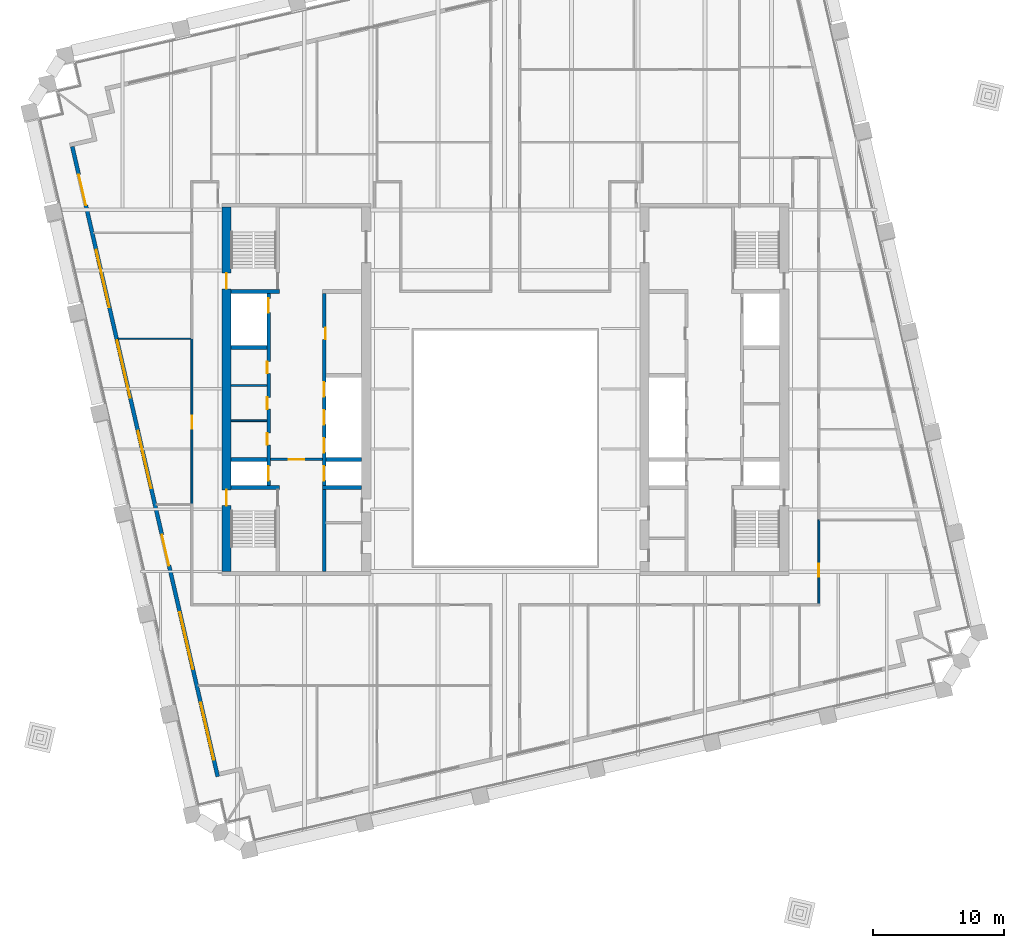
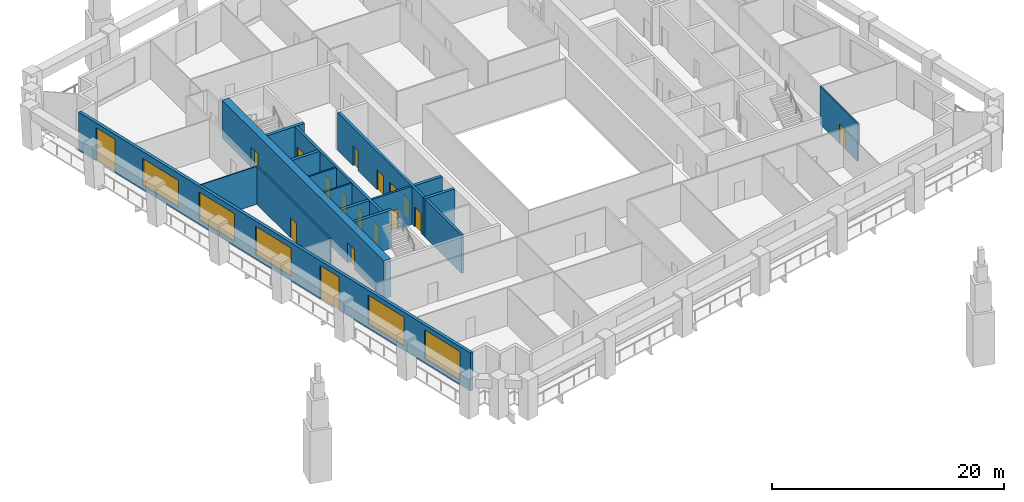
# One storey, part 5 of 10: 17 doors, 16 walls, 5 windows, 22 openings.
"""IFC4 building model written with IfcOpenShell, lengths in metres."""

from ifc_helpers import new_model, si_unit, direction, frame, frame_2d, origin, place, context, subcontext, project, spatial, rectangle, extrude, material, layer, layer_set, type_object, element, fill, save


model = new_model("IFC4")

# Units and contexts
model_context = context("Model", 3, precision=1e-05, world=origin(), true_north=direction((0.0, 1.0)))
body_context = subcontext(model_context, "Body", "Model", "MODEL_VIEW")
ifc_project = project(units=[si_unit("LENGTHUNIT", "METRE"), si_unit("AREAUNIT", "SQUARE_METRE"), si_unit("VOLUMEUNIT", "CUBIC_METRE"), si_unit("PLANEANGLEUNIT", "RADIAN"), si_unit("MASSUNIT", "GRAM", prefix="KILO")], contexts=[model_context])

# Site, building, storey
site_placement = place(None, origin())
site = spatial("IfcSite", under=ifc_project, at=site_placement, CompositionType="ELEMENT")
building_placement = place(site_placement, origin())
building = spatial("IfcBuilding", under=site, at=building_placement, Name="Ogive Exchange Tower", CompositionType="ELEMENT")
storey_placement = place(building_placement, frame((0.0, 0.0, 171.60009765625)))
storey = spatial("IfcBuildingStorey", under=building, at=storey_placement, Name="L37", CompositionType="ELEMENT", Elevation=171.60009765625)

# Walls
ifc_material_1 = material(Name="Gypsum board partition")
ifc_layer_1 = layer(ifc_material_1, 0.14990234375)
ifc_layer_set_1 = layer_set([ifc_layer_1], Name="Core room partition 150 gypsum")
wall_type_1 = type_object("IfcWallType", Name="Core room partition 150 gypsum", PredefinedType="PARTITIONING", material=ifc_layer_set_1)
for number, where, z_axis, x_axis, name in (
    (1, (-21.0, 9.10009765625, 0.0), (0.0, 0.0, 1.0), (1.0, 0.0, 0.0), "W row A bay partition 1-1"),
    (2, (-21.0, 11.800048828125, 0.0), (0.0, 0.0, 1.0), (1.0, 0.0, 0.0), "W row A bay partition 1-2"),
):
    element("IfcWall", number, at=place(storey_placement, frame(where, z_axis=z_axis, x_axis=x_axis)), inside=storey, type_object=wall_type_1, Name=name, PredefinedType="PARTITIONING", context=body_context, shape_type="SweptSolid", body=[
        extrude(rectangle(XDim=2.75, YDim=0.14990234375, at=frame_2d((1.375, 0.0))), origin(), (0.0, 0.0, 1.0), 4.0),
    ])

# Wall, opening, door
ifc_material_2 = material(Name="Fire partition EI 60 150")
ifc_layer_2 = layer(ifc_material_2, 0.14990234375)
ifc_layer_set_2 = layer_set([ifc_layer_2], Name="Fire partition EI 60 150")
wall_type_2 = type_object("IfcWallType", Name="Fire partition EI 60 150", PredefinedType="PARTITIONING", material=ifc_layer_set_2)
wall_1_placement = place(storey_placement, frame((-24.0, 2.68994140625, 0.0), z_axis=(0.0, 0.0, 1.0), x_axis=(0.0, 1.0, 0.0)))
wall_1 = element("IfcWall", 3, at=wall_1_placement, inside=storey, type_object=wall_type_2, Name="L37-PWL-003", PredefinedType="PARTITIONING", context=body_context, shape_type="SweptSolid", body=[
    extrude(rectangle(XDim=12.739990234375, YDim=0.14990234375, at=frame_2d((6.3701171875, 0.0))), origin(), (0.0, 0.0, 1.0), 4.0),
])
opening_1_placement = place(wall_1_placement, frame((5.7900390625, 0.0, 0.0)))
opening_1 = element("IfcOpeningElement", 4, at=opening_1_placement, cuts=wall_1, Name="Opening L37-I10", PredefinedType="OPENING", context=body_context, shape_type="SweptSolid", body=[
    extrude(rectangle(XDim=1.0, YDim=2.10009765625, at=frame_2d((0.5, 1.050048828125))), frame((0.0, 0.0849609375, 0.0), z_axis=(0.0, -1.0, 0.0), x_axis=(1.0, 0.0, 0.0)), (0.0, 0.0, 1.0), 0.169921875),
])
ifc_material_3 = material(Name="Fire door FD 30S 1000 x 2100")
door_type_1 = type_object("IfcDoorType", Name="Fire door FD 30S 1000 x 2100", OperationType="NOTDEFINED", PredefinedType="DOOR", material=ifc_material_3)
door_1_placement = place(opening_1_placement, origin())
door_1 = element("IfcDoor", 5, at=door_1_placement, inside=storey, type_object=door_type_1, Name="L37-IDR-010", ObjectType="DT3", OperationType="SINGLE_SWING_RIGHT", OverallHeight=2.10009765625, OverallWidth=1.0, PredefinedType="DOOR", context=body_context, shape_type="SweptSolid", body=[
    extrude(rectangle(XDim=1.0, YDim=2.10009765625, at=frame_2d((0.5, 1.050048828125))), frame((0.0, 0.02490234375, 0.0), z_axis=(0.0, -1.0, 0.0), x_axis=(1.0, 0.0, 0.0)), (0.0, 0.0, 1.0), 0.050048828125),
])
fill(opening_1, door_1)

wall_2_placement = place(storey_placement, frame((24.0, 1.510009765625, 0.0), z_axis=(0.0, 0.0, 1.0), x_axis=(0.0, -1.0, 0.0)))
wall_2 = element("IfcWall", 6, at=wall_2_placement, inside=storey, type_object=wall_type_2, Name="L37-PWL-075", PredefinedType="PARTITIONING", context=body_context, shape_type="SweptSolid", body=[
    extrude(rectangle(XDim=6.43505859375, YDim=0.14990234375, at=frame_2d((3.217529296875, 0.0))), origin(), (0.0, 0.0, 1.0), 4.0),
])
opening_2_placement = place(wall_2_placement, frame((3.360107421875, 0.0, 0.0)))
opening_2 = element("IfcOpeningElement", 7, at=opening_2_placement, cuts=wall_2, Name="Opening L37-I19", PredefinedType="OPENING", context=body_context, shape_type="SweptSolid", body=[
    extrude(rectangle(XDim=1.0, YDim=2.10009765625, at=frame_2d((0.5, 1.050048828125))), frame((0.0, 0.0849609375, 0.0), z_axis=(0.0, -1.0, 0.0), x_axis=(1.0, 0.0, 0.0)), (0.0, 0.0, 1.0), 0.169921875),
])
door_2_placement = place(opening_2_placement, origin())
door_2 = element("IfcDoor", 8, at=door_2_placement, inside=storey, type_object=door_type_1, Name="L37-IDR-019", ObjectType="DT3", OperationType="SINGLE_SWING_RIGHT", OverallHeight=2.10009765625, OverallWidth=1.0, PredefinedType="DOOR", context=body_context, shape_type="SweptSolid", body=[
    extrude(rectangle(XDim=1.0, YDim=2.10009765625, at=frame_2d((0.5, 1.050048828125))), frame((0.0, 0.02490234375, 0.0), z_axis=(0.0, -1.0, 0.0), x_axis=(1.0, 0.0, 0.0)), (0.0, 0.0, 1.0), 0.050048828125),
])
fill(opening_2, door_2)

# Wall, openings, doors, windows
ifc_material_4 = material(Name="Precast concrete C40/50", Category="concrete")
ifc_layer_3 = layer(ifc_material_4, 0.300048828125)
ifc_layer_set_3 = layer_set([ifc_layer_3], Name="Limestone-faced wall 300")
wall_type_3 = type_object("IfcWallType", Name="Limestone-faced wall 300", PredefinedType="STANDARD", material=ifc_layer_set_3)
wall_3_placement = place(storey_placement, frame((-33.1572265625, 30.092041015625, 0.0), z_axis=(0.0, 0.0, 1.0), x_axis=(0.224950279389, -0.974370243697, 0.0)))
wall_3 = element("IfcWall", 9, at=wall_3_placement, inside=storey, type_object=wall_type_3, Name="External wall W4", PredefinedType="STANDARD", context=body_context, shape_type="SweptSolid", body=[
    extrude(rectangle(XDim=49.499755859375, YDim=0.300048828125, at=frame_2d((24.75, 0.0))), origin(), (0.0, 0.0, 1.0), 4.0),
])
opening_3_placement = place(wall_3_placement, frame((2.20703125, 0.0, 0.0)))
opening_3 = element("IfcOpeningElement", 10, at=opening_3_placement, cuts=wall_3, Name="Opening D1", PredefinedType="OPENING", context=body_context, shape_type="SweptSolid", body=[
    extrude(rectangle(XDim=2.39990234375, YDim=3.5, at=frame_2d((1.199951171875, 1.75))), frame((0.0, 0.159912109375, 0.0), z_axis=(0.0, -1.0, 0.0), x_axis=(1.0, 0.0, 0.0)), (0.0, 0.0, 1.0), 0.320068359375),
])
opening_4_placement = place(wall_3_placement, frame((8.121337890625, 0.0, 0.449951171875)))
opening_4 = element("IfcOpeningElement", 11, at=opening_4_placement, cuts=wall_3, Name="Opening W1E", PredefinedType="OPENING", context=body_context, shape_type="SweptSolid", body=[
    extrude(rectangle(XDim=4.5, YDim=2.824951171875, at=frame_2d((2.25, 1.41259765625))), frame((0.0, 0.159912109375, 0.0), z_axis=(0.0, -1.0, 0.0), x_axis=(1.0, 0.0, 0.0)), (0.0, 0.0, 1.0), 0.320068359375),
])
opening_5_placement = place(wall_3_placement, frame((15.235595703125, 0.0, 0.449951171875)))
opening_5 = element("IfcOpeningElement", 12, at=opening_5_placement, cuts=wall_3, Name="Opening W1B", PredefinedType="OPENING", context=body_context, shape_type="SweptSolid", body=[
    extrude(rectangle(XDim=4.5, YDim=2.949951171875, at=frame_2d((2.25, 1.47509765625))), frame((0.0, 0.159912109375, 0.0), z_axis=(0.0, -1.0, 0.0), x_axis=(1.0, 0.0, 0.0)), (0.0, 0.0, 1.0), 0.320068359375),
])
opening_6_placement = place(wall_3_placement, frame((22.35009765625, 0.0, 0.449951171875)))
opening_6 = element("IfcOpeningElement", 13, at=opening_6_placement, cuts=wall_3, Name="Opening W1A", PredefinedType="OPENING", context=body_context, shape_type="SweptSolid", body=[
    extrude(rectangle(XDim=4.5, YDim=3.0, at=frame_2d((2.25, 1.5))), frame((0.0, 0.159912109375, 0.0), z_axis=(0.0, -1.0, 0.0), x_axis=(1.0, 0.0, 0.0)), (0.0, 0.0, 1.0), 0.320068359375),
])
opening_7_placement = place(wall_3_placement, frame((30.51416015625, 0.0, 0.0)))
opening_7 = element("IfcOpeningElement", 14, at=opening_7_placement, cuts=wall_3, Name="Opening D1", PredefinedType="OPENING", context=body_context, shape_type="SweptSolid", body=[
    extrude(rectangle(XDim=2.39990234375, YDim=3.5, at=frame_2d((1.199951171875, 1.75))), frame((0.0, 0.159912109375, 0.0), z_axis=(0.0, -1.0, 0.0), x_axis=(1.0, 0.0, 0.0)), (0.0, 0.0, 1.0), 0.320068359375),
])
opening_8_placement = place(wall_3_placement, frame((36.57861328125, 0.0, 0.449951171875)))
opening_8 = element("IfcOpeningElement", 15, at=opening_8_placement, cuts=wall_3, Name="Opening W1", PredefinedType="OPENING", context=body_context, shape_type="SweptSolid", body=[
    extrude(rectangle(XDim=4.5, YDim=3.050048828125, at=frame_2d((2.25, 1.52490234375))), frame((0.0, 0.159912109375, 0.0), z_axis=(0.0, -1.0, 0.0), x_axis=(1.0, 0.0, 0.0)), (0.0, 0.0, 1.0), 0.320068359375),
])
opening_9_placement = place(wall_3_placement, frame((43.69287109375, 0.0, 0.449951171875)))
opening_9 = element("IfcOpeningElement", 16, at=opening_9_placement, cuts=wall_3, Name="Opening W1", PredefinedType="OPENING", context=body_context, shape_type="SweptSolid", body=[
    extrude(rectangle(XDim=4.5, YDim=3.050048828125, at=frame_2d((2.25, 1.52490234375))), frame((0.0, 0.159912109375, 0.0), z_axis=(0.0, -1.0, 0.0), x_axis=(1.0, 0.0, 0.0)), (0.0, 0.0, 1.0), 0.320068359375),
])
ifc_material_5 = material(Name="Clear glass in bronze frame", Category="glass")
door_type_2 = type_object("IfcDoorType", Name="Sliding loggia door 2400 x 3500", OperationType="DOUBLE_DOOR_SLIDING", PredefinedType="DOOR", material=ifc_material_5)
door_3_placement = place(opening_3_placement, origin())
door_3 = element("IfcDoor", 17, at=door_3_placement, inside=storey, type_object=door_type_2, Name="Loggia door W00", OperationType="DOUBLE_DOOR_SLIDING", OverallHeight=3.5, OverallWidth=2.39990234375, PredefinedType="DOOR", context=body_context, shape_type="SweptSolid", body=[
    extrude(rectangle(XDim=2.39990234375, YDim=3.5, at=frame_2d((1.199951171875, 1.75))), frame((0.0, 0.02490234375, 0.0), z_axis=(0.0, -1.0, 0.0), x_axis=(1.0, 0.0, 0.0)), (0.0, 0.0, 1.0), 0.050048828125),
])
fill(opening_3, door_3)
door_4_placement = place(opening_7_placement, origin())
door_4 = element("IfcDoor", 18, at=door_4_placement, inside=storey, type_object=door_type_2, Name="Loggia door W04", OperationType="DOUBLE_DOOR_SLIDING", OverallHeight=3.5, OverallWidth=2.39990234375, PredefinedType="DOOR", context=body_context, shape_type="SweptSolid", body=[
    extrude(rectangle(XDim=2.39990234375, YDim=3.5, at=frame_2d((1.199951171875, 1.75))), frame((0.0, 0.02490234375, 0.0), z_axis=(0.0, -1.0, 0.0), x_axis=(1.0, 0.0, 0.0)), (0.0, 0.0, 1.0), 0.050048828125),
])
fill(opening_7, door_4)
window_type_1 = type_object("IfcWindowType", Name="Twin lancet window 4500 x 2825", PartitioningType="DOUBLE_PANEL_VERTICAL", PredefinedType="WINDOW", material=ifc_material_5)
window_1_placement = place(opening_4_placement, origin())
window_1 = element("IfcWindow", 19, at=window_1_placement, inside=storey, type_object=window_type_1, Name="Window W01", OverallHeight=2.824951171875, OverallWidth=4.5, PartitioningType="DOUBLE_PANEL_VERTICAL", PredefinedType="WINDOW", context=body_context, shape_type="SweptSolid", body=[
    extrude(rectangle(XDim=4.5, YDim=2.824951171875, at=frame_2d((2.25, 1.41259765625))), frame((0.0, 0.030029296875, 0.0), z_axis=(0.0, -1.0, 0.0), x_axis=(1.0, 0.0, 0.0)), (0.0, 0.0, 1.0), 0.06005859375),
])
fill(opening_4, window_1)
window_type_2 = type_object("IfcWindowType", Name="Twin lancet window 4500 x 2950", PartitioningType="DOUBLE_PANEL_VERTICAL", PredefinedType="WINDOW", material=ifc_material_5)
window_2_placement = place(opening_5_placement, origin())
window_2 = element("IfcWindow", 20, at=window_2_placement, inside=storey, type_object=window_type_2, Name="Window W02", OverallHeight=2.949951171875, OverallWidth=4.5, PartitioningType="DOUBLE_PANEL_VERTICAL", PredefinedType="WINDOW", context=body_context, shape_type="SweptSolid", body=[
    extrude(rectangle(XDim=4.5, YDim=2.949951171875, at=frame_2d((2.25, 1.47509765625))), frame((0.0, 0.030029296875, 0.0), z_axis=(0.0, -1.0, 0.0), x_axis=(1.0, 0.0, 0.0)), (0.0, 0.0, 1.0), 0.06005859375),
])
fill(opening_5, window_2)
window_type_3 = type_object("IfcWindowType", Name="Twin lancet window 4500 x 3000", PartitioningType="DOUBLE_PANEL_VERTICAL", PredefinedType="WINDOW", material=ifc_material_5)
window_3_placement = place(opening_6_placement, origin())
window_3 = element("IfcWindow", 21, at=window_3_placement, inside=storey, type_object=window_type_3, Name="Window W03", OverallHeight=3.0, OverallWidth=4.5, PartitioningType="DOUBLE_PANEL_VERTICAL", PredefinedType="WINDOW", context=body_context, shape_type="SweptSolid", body=[
    extrude(rectangle(XDim=4.5, YDim=3.0, at=frame_2d((2.25, 1.5))), frame((0.0, 0.030029296875, 0.0), z_axis=(0.0, -1.0, 0.0), x_axis=(1.0, 0.0, 0.0)), (0.0, 0.0, 1.0), 0.06005859375),
])
fill(opening_6, window_3)
window_type_4 = type_object("IfcWindowType", Name="Twin lancet window 4500 x 3050", PartitioningType="DOUBLE_PANEL_VERTICAL", PredefinedType="WINDOW", material=ifc_material_5)
window_4_placement = place(opening_8_placement, origin())
window_4 = element("IfcWindow", 22, at=window_4_placement, inside=storey, type_object=window_type_4, Name="Window W05", OverallHeight=3.050048828125, OverallWidth=4.5, PartitioningType="DOUBLE_PANEL_VERTICAL", PredefinedType="WINDOW", context=body_context, shape_type="SweptSolid", body=[
    extrude(rectangle(XDim=4.5, YDim=3.050048828125, at=frame_2d((2.25, 1.52490234375))), frame((0.0, 0.030029296875, 0.0), z_axis=(0.0, -1.0, 0.0), x_axis=(1.0, 0.0, 0.0)), (0.0, 0.0, 1.0), 0.06005859375),
])
fill(opening_8, window_4)
window_5_placement = place(opening_9_placement, origin())
window_5 = element("IfcWindow", 23, at=window_5_placement, inside=storey, type_object=window_type_4, Name="Window W06", OverallHeight=3.050048828125, OverallWidth=4.5, PartitioningType="DOUBLE_PANEL_VERTICAL", PredefinedType="WINDOW", context=body_context, shape_type="SweptSolid", body=[
    extrude(rectangle(XDim=4.5, YDim=3.050048828125, at=frame_2d((2.25, 1.52490234375))), frame((0.0, 0.030029296875, 0.0), z_axis=(0.0, -1.0, 0.0), x_axis=(1.0, 0.0, 0.0)), (0.0, 0.0, 1.0), 0.06005859375),
])
fill(opening_9, window_5)

# Wall
ifc_material_6 = material(Name="Partition 100 gypsum")
ifc_layer_4 = layer(ifc_material_6, 0.10009765625)
ifc_layer_set_4 = layer_set([ifc_layer_4], Name="Partition 100 gypsum")
wall_type_4 = type_object("IfcWallType", Name="Partition 100 gypsum", PredefinedType="PARTITIONING", material=ifc_layer_set_4)
wall_4_placement = place(storey_placement, frame((-24.074951171875, 15.3798828125, 0.0), z_axis=(0.0, 0.0, 1.0), x_axis=(-1.0, 0.0, 0.0)))
element("IfcWall", 24, at=wall_4_placement, inside=storey, type_object=wall_type_4, Name="L37-PWL-004", PredefinedType="PARTITIONING", context=body_context, shape_type="SweptSolid", body=[
    extrude(rectangle(XDim=5.614013671875, YDim=0.10009765625, at=frame_2d((2.80712890625, 0.0))), origin(), (0.0, 0.0, 1.0), 4.0),
])

# Wall, opening, door
ifc_material_7 = material(Name="Concrete C70/85", Category="concrete")
ifc_layer_5 = layer(ifc_material_7, 0.199951171875)
ifc_layer_set_5 = layer_set([ifc_layer_5], Name="RC core wall 200 C70/85")
wall_type_5 = type_object("IfcWallType", Name="RC core wall 200 C70/85", PredefinedType="SHEAR", material=ifc_layer_set_5)
wall_5_placement = place(storey_placement, frame((-18.0, 6.142822265625, 0.0), z_axis=(0.0, 0.0, 1.0), x_axis=(1.0, 0.0, 0.0)))
wall_5 = element("IfcWall", 25, at=wall_5_placement, inside=storey, type_object=wall_type_5, Name="W firefighting lobby wall", PredefinedType="SHEAR", context=body_context, shape_type="SweptSolid", body=[
    extrude(rectangle(XDim=4.0, YDim=0.199951171875, at=frame_2d((2.0, 0.0))), origin(), (0.0, 0.0, 1.0), 4.0),
])
opening_10_placement = place(wall_5_placement, frame((1.39990234375, 0.0, 0.0)))
opening_10 = element("IfcOpeningElement", 26, at=opening_10_placement, cuts=wall_5, Name="Opening L37-C11", PredefinedType="OPENING", context=body_context, shape_type="SweptSolid", body=[
    extrude(rectangle(XDim=1.199951171875, YDim=2.10009765625, at=frame_2d((0.60009765625, 1.050048828125))), frame((0.0, 0.10986328125, 0.0), z_axis=(0.0, -1.0, 0.0), x_axis=(1.0, 0.0, 0.0)), (0.0, 0.0, 1.0), 0.219970703125),
])
ifc_material_8 = material(Name="Steel fire door", Category="steel")
door_type_3 = type_object("IfcDoorType", Name="Firefighting lobby door FD60 1200 x 2100", OperationType="NOTDEFINED", PredefinedType="DOOR", material=ifc_material_8)
door_5_placement = place(opening_10_placement, frame((1.199951171875, 0.0, 0.0), z_axis=(0.0, 0.0, 1.0), x_axis=(-1.0, 0.0, 0.0)))
door_5 = element("IfcDoor", 27, at=door_5_placement, inside=storey, type_object=door_type_3, Name="Firefighting lobby door", ObjectType="CD3", OperationType="SINGLE_SWING_LEFT", OverallHeight=2.10009765625, OverallWidth=1.199951171875, PredefinedType="DOOR", context=body_context, shape_type="SweptSolid", body=[
    extrude(rectangle(XDim=1.199951171875, YDim=2.10009765625, at=frame_2d((0.60009765625, 1.050048828125))), frame((0.0, 0.02490234375, 0.0), z_axis=(0.0, -1.0, 0.0), x_axis=(1.0, 0.0, 0.0)), (0.0, 0.0, 1.0), 0.050048828125),
])
fill(opening_10, door_5)

# Wall, openings, doors
ifc_layer_6 = layer(ifc_material_7, 0.25)
ifc_layer_set_6 = layer_set([ifc_layer_6], Name="RC core wall 250 C70/85")
wall_type_6 = type_object("IfcWallType", Name="RC core wall 250 C70/85", PredefinedType="SHEAR", material=ifc_layer_set_6)
wall_6_placement = place(storey_placement, frame((-18.125, 4.14990234375, 0.0), z_axis=(0.0, 0.0, 1.0), x_axis=(0.0, 1.0, 0.0)))
wall_6 = element("IfcWall", 28, at=wall_6_placement, inside=storey, type_object=wall_type_6, Name="W row A front wall", PredefinedType="SHEAR", context=body_context, shape_type="SweptSolid", body=[
    extrude(rectangle(XDim=14.7001953125, YDim=0.25, at=frame_2d((7.35009765625, 0.0))), origin(), (0.0, 0.0, 1.0), 4.0),
])
opening_11_placement = place(wall_6_placement, frame((3.096435546875, 0.0, 0.0)))
opening_11 = element("IfcOpeningElement", 29, at=opening_11_placement, cuts=wall_6, Name="Opening L37-C01", PredefinedType="OPENING", context=body_context, shape_type="SweptSolid", body=[
    extrude(rectangle(XDim=0.89990234375, YDim=2.10009765625, at=frame_2d((0.449951171875, 1.050048828125))), frame((0.0, 0.135009765625, 0.0), z_axis=(0.0, -1.0, 0.0), x_axis=(1.0, 0.0, 0.0)), (0.0, 0.0, 1.0), 0.27001953125),
])
opening_12_placement = place(wall_6_placement, frame((5.85009765625, 0.0, 0.0)))
opening_12 = element("IfcOpeningElement", 30, at=opening_12_placement, cuts=wall_6, Name="Opening L37-C02", PredefinedType="OPENING", context=body_context, shape_type="SweptSolid", body=[
    extrude(rectangle(XDim=0.89990234375, YDim=2.10009765625, at=frame_2d((0.449951171875, 1.050048828125))), frame((0.0, 0.135009765625, 0.0), z_axis=(0.0, -1.0, 0.0), x_axis=(1.0, 0.0, 0.0)), (0.0, 0.0, 1.0), 0.27001953125),
])
opening_13_placement = place(wall_6_placement, frame((8.58203125, 0.0, 0.0)))
opening_13 = element("IfcOpeningElement", 31, at=opening_13_placement, cuts=wall_6, Name="Opening L37-C03", PredefinedType="OPENING", context=body_context, shape_type="SweptSolid", body=[
    extrude(rectangle(XDim=0.89990234375, YDim=2.10009765625, at=frame_2d((0.449951171875, 1.050048828125))), frame((0.0, 0.135009765625, 0.0), z_axis=(0.0, -1.0, 0.0), x_axis=(1.0, 0.0, 0.0)), (0.0, 0.0, 1.0), 0.27001953125),
])
opening_14_placement = place(wall_6_placement, frame((0.371337890625, 0.0, 0.0)))
opening_14 = element("IfcOpeningElement", 32, at=opening_14_placement, cuts=wall_6, Name="Opening L37-C04", PredefinedType="OPENING", context=body_context, shape_type="SweptSolid", body=[
    extrude(rectangle(XDim=1.10009765625, YDim=2.10009765625, at=frame_2d((0.550048828125, 1.050048828125))), frame((0.0, 0.135009765625, 0.0), z_axis=(0.0, -1.0, 0.0), x_axis=(1.0, 0.0, 0.0)), (0.0, 0.0, 1.0), 0.27001953125),
])
opening_15_placement = place(wall_6_placement, frame((13.228515625, 0.0, 0.0)))
opening_15 = element("IfcOpeningElement", 33, at=opening_15_placement, cuts=wall_6, Name="Opening L37-C05", PredefinedType="OPENING", context=body_context, shape_type="SweptSolid", body=[
    extrude(rectangle(XDim=1.10009765625, YDim=2.10009765625, at=frame_2d((0.550048828125, 1.050048828125))), frame((0.0, 0.135009765625, 0.0), z_axis=(0.0, -1.0, 0.0), x_axis=(1.0, 0.0, 0.0)), (0.0, 0.0, 1.0), 0.27001953125),
])
ifc_material_9 = material(Name="Stainless steel", Category="steel")
door_type_4 = type_object("IfcDoorType", Name="Lift landing door FD90 1100 x 2100", OperationType="SLIDING_TO_LEFT", PredefinedType="DOOR", material=ifc_material_9)
door_6_placement = place(opening_14_placement, origin())
door_6 = element("IfcDoor", 34, at=door_6_placement, inside=storey, type_object=door_type_4, Name="Lift landing door FF1", ObjectType="LD", OperationType="SLIDING_TO_LEFT", OverallHeight=2.10009765625, OverallWidth=1.10009765625, PredefinedType="DOOR", context=body_context, shape_type="SweptSolid", body=[
    extrude(rectangle(XDim=1.10009765625, YDim=2.10009765625, at=frame_2d((0.550048828125, 1.050048828125))), frame((0.0, 0.02490234375, 0.0), z_axis=(0.0, -1.0, 0.0), x_axis=(1.0, 0.0, 0.0)), (0.0, 0.0, 1.0), 0.050048828125),
])
fill(opening_14, door_6)
door_7_placement = place(opening_15_placement, origin())
door_7 = element("IfcDoor", 35, at=door_7_placement, inside=storey, type_object=door_type_4, Name="Lift landing door W-SH2", ObjectType="LD", OperationType="SLIDING_TO_LEFT", OverallHeight=2.10009765625, OverallWidth=1.10009765625, PredefinedType="DOOR", context=body_context, shape_type="SweptSolid", body=[
    extrude(rectangle(XDim=1.10009765625, YDim=2.10009765625, at=frame_2d((0.550048828125, 1.050048828125))), frame((0.0, 0.02490234375, 0.0), z_axis=(0.0, -1.0, 0.0), x_axis=(1.0, 0.0, 0.0)), (0.0, 0.0, 1.0), 0.050048828125),
])
fill(opening_15, door_7)
door_type_5 = type_object("IfcDoorType", Name="Riser door FD60 900 x 2100", OperationType="NOTDEFINED", PredefinedType="DOOR", material=ifc_material_8)
door_8_placement = place(opening_11_placement, origin())
door_8 = element("IfcDoor", 36, at=door_8_placement, inside=storey, type_object=door_type_5, Name="Riser door", ObjectType="CD2", OperationType="SINGLE_SWING_LEFT", OverallHeight=2.10009765625, OverallWidth=0.89990234375, PredefinedType="DOOR", context=body_context, shape_type="SweptSolid", body=[
    extrude(rectangle(XDim=0.89990234375, YDim=2.10009765625, at=frame_2d((0.449951171875, 1.050048828125))), frame((0.0, 0.125, 0.0), z_axis=(0.0, -1.0, 0.0), x_axis=(1.0, 0.0, 0.0)), (0.0, 0.0, 1.0), 0.050048828125),
])
fill(opening_11, door_8)
door_9_placement = place(opening_12_placement, origin())
door_9 = element("IfcDoor", 37, at=door_9_placement, inside=storey, type_object=door_type_5, Name="Riser door", ObjectType="CD2", OperationType="SINGLE_SWING_LEFT", OverallHeight=2.10009765625, OverallWidth=0.89990234375, PredefinedType="DOOR", context=body_context, shape_type="SweptSolid", body=[
    extrude(rectangle(XDim=0.89990234375, YDim=2.10009765625, at=frame_2d((0.449951171875, 1.050048828125))), frame((0.0, 0.125, 0.0), z_axis=(0.0, -1.0, 0.0), x_axis=(1.0, 0.0, 0.0)), (0.0, 0.0, 1.0), 0.050048828125),
])
fill(opening_12, door_9)
door_10_placement = place(opening_13_placement, origin())
door_10 = element("IfcDoor", 38, at=door_10_placement, inside=storey, type_object=door_type_5, Name="Riser door", ObjectType="CD2", OperationType="SINGLE_SWING_LEFT", OverallHeight=2.10009765625, OverallWidth=0.89990234375, PredefinedType="DOOR", context=body_context, shape_type="SweptSolid", body=[
    extrude(rectangle(XDim=0.89990234375, YDim=2.10009765625, at=frame_2d((0.449951171875, 1.050048828125))), frame((0.0, 0.125, 0.0), z_axis=(0.0, -1.0, 0.0), x_axis=(1.0, 0.0, 0.0)), (0.0, 0.0, 1.0), 0.050048828125),
])
fill(opening_13, door_10)

wall_7_placement = place(storey_placement, frame((-13.875, -2.449951171875, 0.0), z_axis=(0.0, 0.0, 1.0), x_axis=(0.0, 1.0, 0.0)))
wall_7 = element("IfcWall", 39, at=wall_7_placement, inside=storey, type_object=wall_type_6, Name="W row B front wall", PredefinedType="SHEAR", context=body_context, shape_type="SweptSolid", body=[
    extrude(rectangle(XDim=21.300048828125, YDim=0.25, at=frame_2d((10.64990234375, 0.0))), origin(), (0.0, 0.0, 1.0), 4.0),
])
opening_16_placement = place(wall_7_placement, frame((17.78564453125, 0.0, 0.0)))
opening_16 = element("IfcOpeningElement", 40, at=opening_16_placement, cuts=wall_7, Name="Opening L37-C06", PredefinedType="OPENING", context=body_context, shape_type="SweptSolid", body=[
    extrude(rectangle(XDim=0.89990234375, YDim=2.10009765625, at=frame_2d((0.449951171875, 1.050048828125))), frame((0.0, 0.135009765625, 0.0), z_axis=(0.0, -1.0, 0.0), x_axis=(1.0, 0.0, 0.0)), (0.0, 0.0, 1.0), 0.27001953125),
])
opening_17_placement = place(wall_7_placement, frame((6.971435546875, 0.0, 0.0)))
opening_17 = element("IfcOpeningElement", 41, at=opening_17_placement, cuts=wall_7, Name="Opening L37-C07", PredefinedType="OPENING", context=body_context, shape_type="SweptSolid", body=[
    extrude(rectangle(XDim=1.10009765625, YDim=2.10009765625, at=frame_2d((0.550048828125, 1.050048828125))), frame((0.0, 0.135009765625, 0.0), z_axis=(0.0, -1.0, 0.0), x_axis=(1.0, 0.0, 0.0)), (0.0, 0.0, 1.0), 0.27001953125),
])
opening_18_placement = place(wall_7_placement, frame((9.1142578125, 0.0, 0.0)))
opening_18 = element("IfcOpeningElement", 42, at=opening_18_placement, cuts=wall_7, Name="Opening L37-C08", PredefinedType="OPENING", context=body_context, shape_type="SweptSolid", body=[
    extrude(rectangle(XDim=1.10009765625, YDim=2.10009765625, at=frame_2d((0.550048828125, 1.050048828125))), frame((0.0, 0.135009765625, 0.0), z_axis=(0.0, -1.0, 0.0), x_axis=(1.0, 0.0, 0.0)), (0.0, 0.0, 1.0), 0.27001953125),
])
opening_19_placement = place(wall_7_placement, frame((11.257080078125, 0.0, 0.0)))
opening_19 = element("IfcOpeningElement", 43, at=opening_19_placement, cuts=wall_7, Name="Opening L37-C09", PredefinedType="OPENING", context=body_context, shape_type="SweptSolid", body=[
    extrude(rectangle(XDim=1.10009765625, YDim=2.10009765625, at=frame_2d((0.550048828125, 1.050048828125))), frame((0.0, 0.135009765625, 0.0), z_axis=(0.0, -1.0, 0.0), x_axis=(1.0, 0.0, 0.0)), (0.0, 0.0, 1.0), 0.27001953125),
])
opening_20_placement = place(wall_7_placement, frame((13.39990234375, 0.0, 0.0)))
opening_20 = element("IfcOpeningElement", 44, at=opening_20_placement, cuts=wall_7, Name="Opening L37-C10", PredefinedType="OPENING", context=body_context, shape_type="SweptSolid", body=[
    extrude(rectangle(XDim=1.10009765625, YDim=2.10009765625, at=frame_2d((0.550048828125, 1.050048828125))), frame((0.0, 0.135009765625, 0.0), z_axis=(0.0, -1.0, 0.0), x_axis=(1.0, 0.0, 0.0)), (0.0, 0.0, 1.0), 0.27001953125),
])
door_11_placement = place(opening_17_placement, origin())
door_11 = element("IfcDoor", 45, at=door_11_placement, inside=storey, type_object=door_type_4, Name="Lift landing door SV1", ObjectType="LD", OperationType="SLIDING_TO_LEFT", OverallHeight=2.10009765625, OverallWidth=1.10009765625, PredefinedType="DOOR", context=body_context, shape_type="SweptSolid", body=[
    extrude(rectangle(XDim=1.10009765625, YDim=2.10009765625, at=frame_2d((0.550048828125, 1.050048828125))), frame((0.0, 0.02490234375, 0.0), z_axis=(0.0, -1.0, 0.0), x_axis=(1.0, 0.0, 0.0)), (0.0, 0.0, 1.0), 0.050048828125),
])
fill(opening_17, door_11)
door_12_placement = place(opening_18_placement, origin())
door_12 = element("IfcDoor", 46, at=door_12_placement, inside=storey, type_object=door_type_4, Name="Lift landing door W-M1", ObjectType="LD", OperationType="SLIDING_TO_LEFT", OverallHeight=2.10009765625, OverallWidth=1.10009765625, PredefinedType="DOOR", context=body_context, shape_type="SweptSolid", body=[
    extrude(rectangle(XDim=1.10009765625, YDim=2.10009765625, at=frame_2d((0.550048828125, 1.050048828125))), frame((0.0, 0.02490234375, 0.0), z_axis=(0.0, -1.0, 0.0), x_axis=(1.0, 0.0, 0.0)), (0.0, 0.0, 1.0), 0.050048828125),
])
fill(opening_18, door_12)
door_13_placement = place(opening_19_placement, origin())
door_13 = element("IfcDoor", 47, at=door_13_placement, inside=storey, type_object=door_type_4, Name="Lift landing door W-M2", ObjectType="LD", OperationType="SLIDING_TO_LEFT", OverallHeight=2.10009765625, OverallWidth=1.10009765625, PredefinedType="DOOR", context=body_context, shape_type="SweptSolid", body=[
    extrude(rectangle(XDim=1.10009765625, YDim=2.10009765625, at=frame_2d((0.550048828125, 1.050048828125))), frame((0.0, 0.02490234375, 0.0), z_axis=(0.0, -1.0, 0.0), x_axis=(1.0, 0.0, 0.0)), (0.0, 0.0, 1.0), 0.050048828125),
])
fill(opening_19, door_13)
door_14_placement = place(opening_20_placement, origin())
door_14 = element("IfcDoor", 48, at=door_14_placement, inside=storey, type_object=door_type_4, Name="Lift landing door W-M3", ObjectType="LD", OperationType="SLIDING_TO_LEFT", OverallHeight=2.10009765625, OverallWidth=1.10009765625, PredefinedType="DOOR", context=body_context, shape_type="SweptSolid", body=[
    extrude(rectangle(XDim=1.10009765625, YDim=2.10009765625, at=frame_2d((0.550048828125, 1.050048828125))), frame((0.0, 0.02490234375, 0.0), z_axis=(0.0, -1.0, 0.0), x_axis=(1.0, 0.0, 0.0)), (0.0, 0.0, 1.0), 0.050048828125),
])
fill(opening_20, door_14)
door_15_placement = place(opening_16_placement, frame((0.89990234375, -0.2001953125, 0.0), z_axis=(0.0, 0.0, 1.0), x_axis=(-1.0, 0.0, 0.0)))
door_15 = element("IfcDoor", 49, at=door_15_placement, inside=storey, type_object=door_type_5, Name="Riser door", ObjectType="CD2", OperationType="SINGLE_SWING_LEFT", OverallHeight=2.10009765625, OverallWidth=0.89990234375, PredefinedType="DOOR", context=body_context, shape_type="SweptSolid", body=[
    extrude(rectangle(XDim=0.89990234375, YDim=2.10009765625, at=frame_2d((0.449951171875, 1.050048828125))), frame((0.0, -0.0751953125, 0.0), z_axis=(0.0, -1.0, 0.0), x_axis=(1.0, 0.0, 0.0)), (0.0, 0.0, 1.0), 0.050048828125),
])
fill(opening_16, door_15)

# Walls
ifc_layer_7 = layer(ifc_material_7, 0.300048828125)
ifc_layer_set_7 = layer_set([ifc_layer_7], Name="RC core wall 300 C70/85")
wall_type_7 = type_object("IfcWallType", Name="RC core wall 300 C70/85", PredefinedType="SHEAR", material=ifc_layer_set_7)
for number, where, z_axis, x_axis, name in (
    (50, (-21.0, 4.0, 0.0), (0.0, 0.0, 1.0), (1.0, 0.0, 0.0), "W stair S north wall"),
    (51, (-21.0, 19.0, 0.0), (0.0, 0.0, 1.0), (1.0, 0.0, 0.0), "W stair N south wall"),
):
    element("IfcWall", number, at=place(storey_placement, frame(where, z_axis=z_axis, x_axis=x_axis)), inside=storey, type_object=wall_type_7, Name=name, PredefinedType="SHEAR", context=body_context, shape_type="SweptSolid", body=[
        extrude(rectangle(XDim=3.699951171875, YDim=0.300048828125, at=frame_2d((1.85009765625, 0.0))), origin(), (0.0, 0.0, 1.0), 4.0),
    ])
for number, where, z_axis, x_axis, name in (
    (52, (-21.0, 6.142822265625, 0.0), (0.0, 0.0, 1.0), (1.0, 0.0, 0.0), "W row A divider 1"),
    (53, (-21.0, 14.71435546875, 0.0), (0.0, 0.0, 1.0), (1.0, 0.0, 0.0), "W row A divider 5"),
):
    element("IfcWall", number, at=place(storey_placement, frame(where, z_axis=z_axis, x_axis=x_axis)), inside=storey, type_object=wall_type_7, Name=name, PredefinedType="SHEAR", context=body_context, shape_type="SweptSolid", body=[
        extrude(rectangle(XDim=2.75, YDim=0.300048828125, at=frame_2d((1.375, 0.0))), origin(), (0.0, 0.0, 1.0), 4.0),
    ])
wall_8_placement = place(storey_placement, frame((-14.0, 4.0, 0.0), z_axis=(0.0, 0.0, 1.0), x_axis=(1.0, 0.0, 0.0)))
element("IfcWall", 54, at=wall_8_placement, inside=storey, type_object=wall_type_7, Name="W row B divider 0", PredefinedType="SHEAR", context=body_context, shape_type="SweptSolid", body=[
    extrude(rectangle(XDim=3.0, YDim=0.300048828125, at=frame_2d((1.5, 0.0))), origin(), (0.0, 0.0, 1.0), 4.0),
])
wall_9_placement = place(storey_placement, frame((-13.75, 6.142822265625, 0.0), z_axis=(0.0, 0.0, 1.0), x_axis=(1.0, 0.0, 0.0)))
element("IfcWall", 55, at=wall_9_placement, inside=storey, type_object=wall_type_7, Name="W row B divider 1", PredefinedType="SHEAR", context=body_context, shape_type="SweptSolid", body=[
    extrude(rectangle(XDim=2.75, YDim=0.300048828125, at=frame_2d((1.375, 0.0))), origin(), (0.0, 0.0, 1.0), 4.0),
])

# Wall, openings, doors
ifc_layer_8 = layer(ifc_material_7, 0.699951171875)
ifc_layer_set_8 = layer_set([ifc_layer_8], Name="RC core wall 700 C70/85")
wall_type_8 = type_object("IfcWallType", Name="RC core wall 700 C70/85", PredefinedType="SHEAR", material=ifc_layer_set_8)
wall_10_placement = place(storey_placement, frame((-21.35009765625, -2.449951171875, 0.0), z_axis=(0.0, 0.0, 1.0), x_axis=(0.0, 1.0, 0.0)))
wall_10 = element("IfcWall", 56, at=wall_10_placement, inside=storey, type_object=wall_type_8, Name="W outer wall", PredefinedType="SHEAR", context=body_context, shape_type="SweptSolid", body=[
    extrude(rectangle(XDim=27.89990234375, YDim=0.699951171875, at=frame_2d((13.949951171875, 0.0))), origin(), (0.0, 0.0, 1.0), 4.0),
])
opening_21_placement = place(wall_10_placement, frame((5.050048828125, 0.0, 0.0)))
opening_21 = element("IfcOpeningElement", 57, at=opening_21_placement, cuts=wall_10, Name="Opening L37-C14", PredefinedType="OPENING", context=body_context, shape_type="SweptSolid", body=[
    extrude(rectangle(XDim=1.199951171875, YDim=2.10009765625, at=frame_2d((0.60009765625, 1.050048828125))), frame((0.0, 0.35986328125, 0.0), z_axis=(0.0, -1.0, 0.0), x_axis=(1.0, 0.0, 0.0)), (0.0, 0.0, 1.0), 0.719970703125),
])
opening_22_placement = place(wall_10_placement, frame((21.64990234375, 0.0, 0.0)))
opening_22 = element("IfcOpeningElement", 58, at=opening_22_placement, cuts=wall_10, Name="Opening L37-C16", PredefinedType="OPENING", context=body_context, shape_type="SweptSolid", body=[
    extrude(rectangle(XDim=1.199951171875, YDim=2.10009765625, at=frame_2d((0.60009765625, 1.050048828125))), frame((0.0, 0.35986328125, 0.0), z_axis=(0.0, -1.0, 0.0), x_axis=(1.0, 0.0, 0.0)), (0.0, 0.0, 1.0), 0.719970703125),
])
door_type_6 = type_object("IfcDoorType", Name="Stair door FD90 1200 x 2100", OperationType="NOTDEFINED", PredefinedType="DOOR", material=ifc_material_8)
door_16_placement = place(opening_21_placement, frame((1.199951171875, 0.0, 0.0), z_axis=(0.0, 0.0, 1.0), x_axis=(-1.0, 0.0, 0.0)))
door_16 = element("IfcDoor", 59, at=door_16_placement, inside=storey, type_object=door_type_6, Name="Stair door", ObjectType="CD5", OperationType="SINGLE_SWING_RIGHT", OverallHeight=2.10009765625, OverallWidth=1.199951171875, PredefinedType="DOOR", context=body_context, shape_type="SweptSolid", body=[
    extrude(rectangle(XDim=1.199951171875, YDim=2.10009765625, at=frame_2d((0.60009765625, 1.050048828125))), frame((0.0, 0.02490234375, 0.0), z_axis=(0.0, -1.0, 0.0), x_axis=(1.0, 0.0, 0.0)), (0.0, 0.0, 1.0), 0.050048828125),
])
fill(opening_21, door_16)
door_17_placement = place(opening_22_placement, frame((1.199951171875, 0.0, 0.0), z_axis=(0.0, 0.0, 1.0), x_axis=(-1.0, 0.0, 0.0)))
door_17 = element("IfcDoor", 60, at=door_17_placement, inside=storey, type_object=door_type_6, Name="Stair door", ObjectType="CD5", OperationType="SINGLE_SWING_LEFT", OverallHeight=2.10009765625, OverallWidth=1.199951171875, PredefinedType="DOOR", context=body_context, shape_type="SweptSolid", body=[
    extrude(rectangle(XDim=1.199951171875, YDim=2.10009765625, at=frame_2d((0.60009765625, 1.050048828125))), frame((0.0, 0.02490234375, 0.0), z_axis=(0.0, -1.0, 0.0), x_axis=(1.0, 0.0, 0.0)), (0.0, 0.0, 1.0), 0.050048828125),
])
fill(opening_22, door_17)

save(model, "model.ifc")
